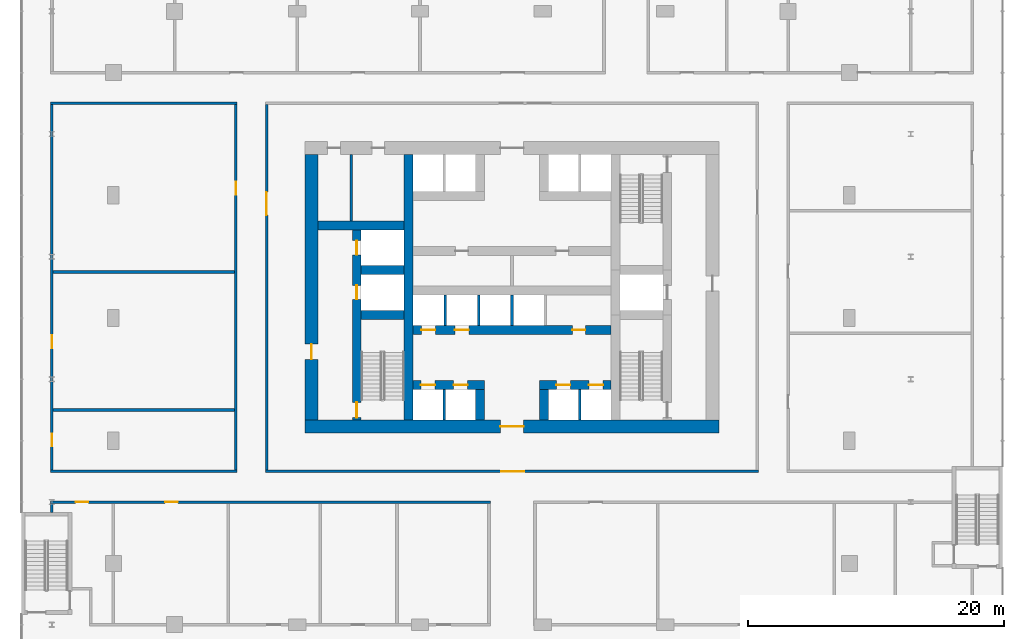
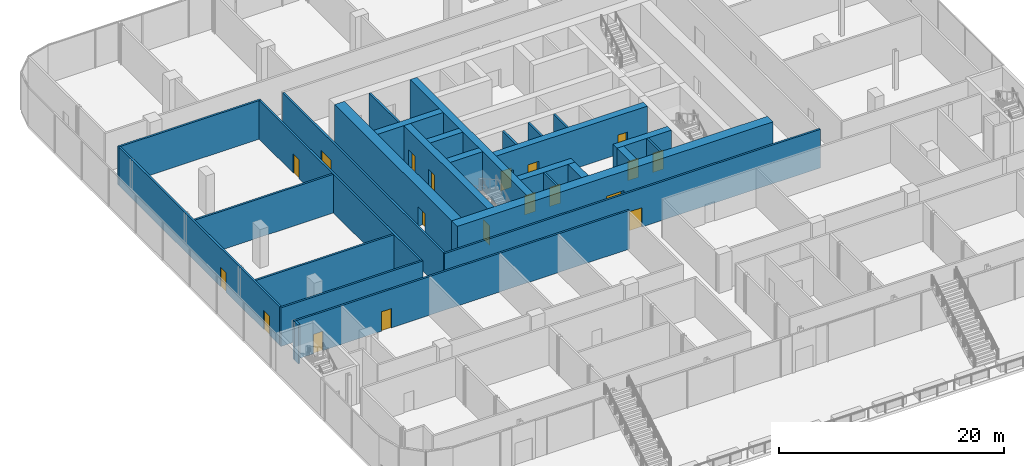
# One storey, part 28 of 38: 28 walls, 19 doors, 19 openings.
"""IFC4 building model written with IfcOpenShell, lengths in metres."""

from ifc_helpers import new_model, si_unit, direction, frame, frame_2d, origin, place, context, subcontext, project, spatial, rectangle, extrude, material, layer, layer_set, type_object, element, fill, save


model = new_model("IFC4")

# Units and contexts
model_context = context("Model", 3, precision=1e-05, world=origin(), true_north=direction((0.0, 1.0)))
body_context = subcontext(model_context, "Body", "Model", "MODEL_VIEW")
ifc_project = project(units=[si_unit("LENGTHUNIT", "METRE"), si_unit("AREAUNIT", "SQUARE_METRE"), si_unit("VOLUMEUNIT", "CUBIC_METRE"), si_unit("PLANEANGLEUNIT", "RADIAN"), si_unit("MASSUNIT", "GRAM", prefix="KILO")], contexts=[model_context])

# Site, building, storey
site_placement = place(None, origin())
site = spatial("IfcSite", under=ifc_project, at=site_placement, CompositionType="ELEMENT")
building_placement = place(site_placement, origin())
building = spatial("IfcBuilding", under=site, at=building_placement, Name="Madar Terraces", CompositionType="ELEMENT")
storey_placement = place(building_placement, frame((0.0, 0.0, 15.0)))
storey = spatial("IfcBuildingStorey", under=building, at=storey_placement, Name="L03", CompositionType="ELEMENT", Elevation=15.0)

# Wall, openings, doors
ifc_material_1 = material(Name="Concrete C80/95", Category="concrete")
ifc_layer_1 = layer(ifc_material_1, 0.699951171875)
ifc_layer_set_1 = layer_set([ifc_layer_1], Name="Concrete C80/95 (CIW1 RC wall 700)")
wall_type_1 = type_object("IfcWallType", Name="CIW1 RC wall 700", PredefinedType="SHEAR", material=ifc_layer_set_1)
wall_1_placement = place(storey_placement, frame((19.050048828125, 16.0, 0.0), z_axis=(0.0, 0.0, 1.0), x_axis=(0.0, 1.0, 0.0)))
wall_1 = element("IfcWall", 1, at=wall_1_placement, inside=storey, type_object=wall_type_1, Name="CORE SHAFT WALL", PredefinedType="SHEAR", context=body_context, shape_type="SweptSolid", body=[
    extrude(rectangle(XDim=14.89990234375, YDim=0.699951171875, at=frame_2d((7.449951171875, 0.0))), origin(), (0.0, 0.0, 1.0), 4.199951171875),
])
opening_1_placement = place(wall_1_placement, frame((9.449951171875, 0.0, 0.0)))
opening_1 = element("IfcOpeningElement", 2, at=opening_1_placement, cuts=wall_1, Name="Opening LD", PredefinedType="OPENING", context=body_context, shape_type="SweptSolid", body=[
    extrude(rectangle(XDim=1.10009765625, YDim=2.10009765625, at=frame_2d((0.550048828125, 1.050048828125))), frame((0.0, 0.35986328125, 0.0), z_axis=(0.0, -1.0, 0.0), x_axis=(1.0, 0.0, 0.0)), (0.0, 0.0, 1.0), 0.719970703125),
])
opening_2_placement = place(wall_1_placement, frame((12.949951171875, 0.0, 0.0)))
opening_2 = element("IfcOpeningElement", 3, at=opening_2_placement, cuts=wall_1, Name="Opening LD", PredefinedType="OPENING", context=body_context, shape_type="SweptSolid", body=[
    extrude(rectangle(XDim=1.10009765625, YDim=2.10009765625, at=frame_2d((0.550048828125, 1.050048828125))), frame((0.0, 0.35986328125, 0.0), z_axis=(0.0, -1.0, 0.0), x_axis=(1.0, 0.0, 0.0)), (0.0, 0.0, 1.0), 0.719970703125),
])
opening_3_placement = place(wall_1_placement, frame((0.199951171875, 0.0, 0.0)))
opening_3 = element("IfcOpeningElement", 4, at=opening_3_placement, cuts=wall_1, Name="Opening SD1", PredefinedType="OPENING", context=body_context, shape_type="SweptSolid", body=[
    extrude(rectangle(XDim=1.199951171875, YDim=2.10009765625, at=frame_2d((0.60009765625, 1.050048828125))), frame((0.0, 0.35986328125, 0.0), z_axis=(0.0, -1.0, 0.0), x_axis=(1.0, 0.0, 0.0)), (0.0, 0.0, 1.0), 0.719970703125),
])
ifc_material_2 = material(Name="Stainless steel panel", Category="steel")
door_type_1 = type_object("IfcDoorType", Name="Lift landing door 1100 x 2100", OperationType="DOUBLE_DOOR_SLIDING", PredefinedType="DOOR", material=ifc_material_2)
door_1_placement = place(opening_1_placement, origin())
door_1 = element("IfcDoor", 5, at=door_1_placement, inside=storey, type_object=door_type_1, Name="LIFT LANDING DOOR", OperationType="DOUBLE_DOOR_SLIDING", OverallHeight=2.10009765625, OverallWidth=1.10009765625, PredefinedType="DOOR", context=body_context, shape_type="SweptSolid", body=[
    extrude(rectangle(XDim=1.10009765625, YDim=2.10009765625, at=frame_2d((0.550048828125, 1.050048828125))), frame((0.0, 0.02490234375, 0.0), z_axis=(0.0, -1.0, 0.0), x_axis=(1.0, 0.0, 0.0)), (0.0, 0.0, 1.0), 0.050048828125),
])
fill(opening_1, door_1)
door_2_placement = place(opening_2_placement, origin())
door_2 = element("IfcDoor", 6, at=door_2_placement, inside=storey, type_object=door_type_1, Name="LIFT LANDING DOOR", OperationType="DOUBLE_DOOR_SLIDING", OverallHeight=2.10009765625, OverallWidth=1.10009765625, PredefinedType="DOOR", context=body_context, shape_type="SweptSolid", body=[
    extrude(rectangle(XDim=1.10009765625, YDim=2.10009765625, at=frame_2d((0.550048828125, 1.050048828125))), frame((0.0, 0.02490234375, 0.0), z_axis=(0.0, -1.0, 0.0), x_axis=(1.0, 0.0, 0.0)), (0.0, 0.0, 1.0), 0.050048828125),
])
fill(opening_2, door_2)
ifc_material_3 = material(Name="Steel door leaf", Category="steel")
door_type_2 = type_object("IfcDoorType", Name="Stair door 1200 x 2100", OperationType="NOTDEFINED", PredefinedType="DOOR", material=ifc_material_3)
door_3_placement = place(opening_3_placement, frame((1.199951171875, 0.0, 0.0), z_axis=(0.0, 0.0, 1.0), x_axis=(-1.0, 0.0, 0.0)))
door_3 = element("IfcDoor", 7, at=door_3_placement, inside=storey, type_object=door_type_2, Name="STAIR DOOR", OperationType="SINGLE_SWING_LEFT", OverallHeight=2.10009765625, OverallWidth=1.199951171875, PredefinedType="DOOR", context=body_context, shape_type="SweptSolid", body=[
    extrude(rectangle(XDim=1.199951171875, YDim=2.10009765625, at=frame_2d((0.60009765625, 1.050048828125))), frame((0.0, 0.02490234375, 0.0), z_axis=(0.0, -1.0, 0.0), x_axis=(1.0, 0.0, 0.0)), (0.0, 0.0, 1.0), 0.050048828125),
])
fill(opening_3, door_3)

# Walls
wall_2_placement = place(storey_placement, frame((23.10009765625, 16.0, 0.0), z_axis=(0.0, 0.0, 1.0), x_axis=(0.0, 1.0, 0.0)))
element("IfcWall", 8, at=wall_2_placement, inside=storey, type_object=wall_type_1, Name="CORE SHAFT WALL", PredefinedType="SHEAR", context=body_context, shape_type="SweptSolid", body=[
    extrude(rectangle(XDim=20.800048828125, YDim=0.699951171875, at=frame_2d((10.39990234375, 0.0))), origin(), (0.0, 0.0, 1.0), 4.199951171875),
])
for number, where, z_axis, x_axis, name in (
    (9, (19.39990234375, 24.25, 0.0), (0.0, 0.0, 1.0), (1.0, 0.0, 0.0), "CORE SHAFT WALL"),
    (10, (19.39990234375, 27.75, 0.0), (0.0, 0.0, 1.0), (1.0, 0.0, 0.0), "CORE SHAFT WALL"),
):
    element("IfcWall", number, at=place(storey_placement, frame(where, z_axis=z_axis, x_axis=x_axis)), inside=storey, type_object=wall_type_1, Name=name, PredefinedType="SHEAR", context=body_context, shape_type="SweptSolid", body=[
        extrude(rectangle(XDim=3.35009765625, YDim=0.699951171875, at=frame_2d((1.675048828125, 0.0))), origin(), (0.0, 0.0, 1.0), 4.199951171875),
    ])
wall_3_placement = place(storey_placement, frame((16.0, 31.25, 0.0), z_axis=(0.0, 0.0, 1.0), x_axis=(1.0, 0.0, 0.0)))
element("IfcWall", 11, at=wall_3_placement, inside=storey, type_object=wall_type_1, Name="CORE SHAFT WALL", PredefinedType="SHEAR", context=body_context, shape_type="SweptSolid", body=[
    extrude(rectangle(XDim=6.75, YDim=0.699951171875, at=frame_2d((3.375, 0.0))), origin(), (0.0, 0.0, 1.0), 4.199951171875),
])

# Wall, openings, doors
wall_4_placement = place(storey_placement, frame((23.449951171875, 18.75, 0.0), z_axis=(0.0, 0.0, 1.0), x_axis=(1.0, 0.0, 0.0)))
wall_4 = element("IfcWall", 12, at=wall_4_placement, inside=storey, type_object=wall_type_1, Name="CORE SHAFT WALL", PredefinedType="SHEAR", context=body_context, shape_type="SweptSolid", body=[
    extrude(rectangle(XDim=5.60009765625, YDim=0.699951171875, at=frame_2d((2.800048828125, 0.0))), origin(), (0.0, 0.0, 1.0), 4.199951171875),
])
opening_4_placement = place(wall_4_placement, frame((0.625, 0.0, 0.0)))
opening_4 = element("IfcOpeningElement", 13, at=opening_4_placement, cuts=wall_4, Name="Opening LD", PredefinedType="OPENING", context=body_context, shape_type="SweptSolid", body=[
    extrude(rectangle(XDim=1.10009765625, YDim=2.10009765625, at=frame_2d((0.550048828125, 1.050048828125))), frame((0.0, 0.35986328125, 0.0), z_axis=(0.0, -1.0, 0.0), x_axis=(1.0, 0.0, 0.0)), (0.0, 0.0, 1.0), 0.719970703125),
])
opening_5_placement = place(wall_4_placement, frame((3.175048828125, 0.0, 0.0)))
opening_5 = element("IfcOpeningElement", 14, at=opening_5_placement, cuts=wall_4, Name="Opening LD", PredefinedType="OPENING", context=body_context, shape_type="SweptSolid", body=[
    extrude(rectangle(XDim=1.10009765625, YDim=2.10009765625, at=frame_2d((0.550048828125, 1.050048828125))), frame((0.0, 0.35986328125, 0.0), z_axis=(0.0, -1.0, 0.0), x_axis=(1.0, 0.0, 0.0)), (0.0, 0.0, 1.0), 0.719970703125),
])
door_4_placement = place(opening_4_placement, origin())
door_4 = element("IfcDoor", 15, at=door_4_placement, inside=storey, type_object=door_type_1, Name="LIFT LANDING DOOR", OperationType="DOUBLE_DOOR_SLIDING", OverallHeight=2.10009765625, OverallWidth=1.10009765625, PredefinedType="DOOR", context=body_context, shape_type="SweptSolid", body=[
    extrude(rectangle(XDim=1.10009765625, YDim=2.10009765625, at=frame_2d((0.550048828125, 1.050048828125))), frame((0.0, 0.02490234375, 0.0), z_axis=(0.0, -1.0, 0.0), x_axis=(1.0, 0.0, 0.0)), (0.0, 0.0, 1.0), 0.050048828125),
])
fill(opening_4, door_4)
door_5_placement = place(opening_5_placement, origin())
door_5 = element("IfcDoor", 16, at=door_5_placement, inside=storey, type_object=door_type_1, Name="LIFT LANDING DOOR", OperationType="DOUBLE_DOOR_SLIDING", OverallHeight=2.10009765625, OverallWidth=1.10009765625, PredefinedType="DOOR", context=body_context, shape_type="SweptSolid", body=[
    extrude(rectangle(XDim=1.10009765625, YDim=2.10009765625, at=frame_2d((0.550048828125, 1.050048828125))), frame((0.0, 0.02490234375, 0.0), z_axis=(0.0, -1.0, 0.0), x_axis=(1.0, 0.0, 0.0)), (0.0, 0.0, 1.0), 0.050048828125),
])
fill(opening_5, door_5)

wall_5_placement = place(storey_placement, frame((33.35009765625, 18.75, 0.0), z_axis=(0.0, 0.0, 1.0), x_axis=(1.0, 0.0, 0.0)))
wall_5 = element("IfcWall", 17, at=wall_5_placement, inside=storey, type_object=wall_type_1, Name="CORE SHAFT WALL", PredefinedType="SHEAR", context=body_context, shape_type="SweptSolid", body=[
    extrude(rectangle(XDim=5.599853515625, YDim=0.699951171875, at=frame_2d((2.7998046875, 0.0))), origin(), (0.0, 0.0, 1.0), 4.199951171875),
])
opening_6_placement = place(wall_5_placement, frame((1.324951171875, 0.0, 0.0)))
opening_6 = element("IfcOpeningElement", 18, at=opening_6_placement, cuts=wall_5, Name="Opening LD", PredefinedType="OPENING", context=body_context, shape_type="SweptSolid", body=[
    extrude(rectangle(XDim=1.10009765625, YDim=2.10009765625, at=frame_2d((0.550048828125, 1.050048828125))), frame((0.0, 0.35986328125, 0.0), z_axis=(0.0, -1.0, 0.0), x_axis=(1.0, 0.0, 0.0)), (0.0, 0.0, 1.0), 0.719970703125),
])
opening_7_placement = place(wall_5_placement, frame((3.875, 0.0, 0.0)))
opening_7 = element("IfcOpeningElement", 19, at=opening_7_placement, cuts=wall_5, Name="Opening LD", PredefinedType="OPENING", context=body_context, shape_type="SweptSolid", body=[
    extrude(rectangle(XDim=1.10009765625, YDim=2.10009765625, at=frame_2d((0.550048828125, 1.050048828125))), frame((0.0, 0.35986328125, 0.0), z_axis=(0.0, -1.0, 0.0), x_axis=(1.0, 0.0, 0.0)), (0.0, 0.0, 1.0), 0.719970703125),
])
door_6_placement = place(opening_6_placement, origin())
door_6 = element("IfcDoor", 20, at=door_6_placement, inside=storey, type_object=door_type_1, Name="LIFT LANDING DOOR", OperationType="DOUBLE_DOOR_SLIDING", OverallHeight=2.10009765625, OverallWidth=1.10009765625, PredefinedType="DOOR", context=body_context, shape_type="SweptSolid", body=[
    extrude(rectangle(XDim=1.10009765625, YDim=2.10009765625, at=frame_2d((0.550048828125, 1.050048828125))), frame((0.0, 0.02490234375, 0.0), z_axis=(0.0, -1.0, 0.0), x_axis=(1.0, 0.0, 0.0)), (0.0, 0.0, 1.0), 0.050048828125),
])
fill(opening_6, door_6)
door_7_placement = place(opening_7_placement, origin())
door_7 = element("IfcDoor", 21, at=door_7_placement, inside=storey, type_object=door_type_1, Name="LIFT LANDING DOOR", OperationType="DOUBLE_DOOR_SLIDING", OverallHeight=2.10009765625, OverallWidth=1.10009765625, PredefinedType="DOOR", context=body_context, shape_type="SweptSolid", body=[
    extrude(rectangle(XDim=1.10009765625, YDim=2.10009765625, at=frame_2d((0.550048828125, 1.050048828125))), frame((0.0, 0.02490234375, 0.0), z_axis=(0.0, -1.0, 0.0), x_axis=(1.0, 0.0, 0.0)), (0.0, 0.0, 1.0), 0.050048828125),
])
fill(opening_7, door_7)

wall_6_placement = place(storey_placement, frame((23.449951171875, 23.050048828125, 0.0), z_axis=(0.0, 0.0, 1.0), x_axis=(1.0, 0.0, 0.0)))
wall_6 = element("IfcWall", 22, at=wall_6_placement, inside=storey, type_object=wall_type_1, Name="CORE SHAFT WALL", PredefinedType="SHEAR", context=body_context, shape_type="SweptSolid", body=[
    extrude(rectangle(XDim=15.5, YDim=0.699951171875, at=frame_2d((7.75, 0.0))), origin(), (0.0, 0.0, 1.0), 4.199951171875),
])
opening_8_placement = place(wall_6_placement, frame((0.658447265625, 0.0, 0.0)))
opening_8 = element("IfcOpeningElement", 23, at=opening_8_placement, cuts=wall_6, Name="Opening LD", PredefinedType="OPENING", context=body_context, shape_type="SweptSolid", body=[
    extrude(rectangle(XDim=1.10009765625, YDim=2.10009765625, at=frame_2d((0.550048828125, 1.050048828125))), frame((0.0, 0.35986328125, 0.0), z_axis=(0.0, -1.0, 0.0), x_axis=(1.0, 0.0, 0.0)), (0.0, 0.0, 1.0), 0.719970703125),
])
opening_9_placement = place(wall_6_placement, frame((3.27490234375, 0.0, 0.0)))
opening_9 = element("IfcOpeningElement", 24, at=opening_9_placement, cuts=wall_6, Name="Opening LD", PredefinedType="OPENING", context=body_context, shape_type="SweptSolid", body=[
    extrude(rectangle(XDim=1.10009765625, YDim=2.10009765625, at=frame_2d((0.550048828125, 1.050048828125))), frame((0.0, 0.35986328125, 0.0), z_axis=(0.0, -1.0, 0.0), x_axis=(1.0, 0.0, 0.0)), (0.0, 0.0, 1.0), 0.719970703125),
])
opening_10_placement = place(wall_6_placement, frame((12.4833984375, 0.0, 0.0)))
opening_10 = element("IfcOpeningElement", 25, at=opening_10_placement, cuts=wall_6, Name="Opening KD2", PredefinedType="OPENING", context=body_context, shape_type="SweptSolid", body=[
    extrude(rectangle(XDim=1.0, YDim=2.10009765625, at=frame_2d((0.5, 1.050048828125))), frame((0.0, 0.35986328125, 0.0), z_axis=(0.0, -1.0, 0.0), x_axis=(1.0, 0.0, 0.0)), (0.0, 0.0, 1.0), 0.719970703125),
])
door_8_placement = place(opening_8_placement, origin())
door_8 = element("IfcDoor", 26, at=door_8_placement, inside=storey, type_object=door_type_1, Name="LIFT LANDING DOOR", OperationType="DOUBLE_DOOR_SLIDING", OverallHeight=2.10009765625, OverallWidth=1.10009765625, PredefinedType="DOOR", context=body_context, shape_type="SweptSolid", body=[
    extrude(rectangle(XDim=1.10009765625, YDim=2.10009765625, at=frame_2d((0.550048828125, 1.050048828125))), frame((0.0, 0.02490234375, 0.0), z_axis=(0.0, -1.0, 0.0), x_axis=(1.0, 0.0, 0.0)), (0.0, 0.0, 1.0), 0.050048828125),
])
fill(opening_8, door_8)
door_9_placement = place(opening_9_placement, origin())
door_9 = element("IfcDoor", 27, at=door_9_placement, inside=storey, type_object=door_type_1, Name="LIFT LANDING DOOR", OperationType="DOUBLE_DOOR_SLIDING", OverallHeight=2.10009765625, OverallWidth=1.10009765625, PredefinedType="DOOR", context=body_context, shape_type="SweptSolid", body=[
    extrude(rectangle(XDim=1.10009765625, YDim=2.10009765625, at=frame_2d((0.550048828125, 1.050048828125))), frame((0.0, 0.02490234375, 0.0), z_axis=(0.0, -1.0, 0.0), x_axis=(1.0, 0.0, 0.0)), (0.0, 0.0, 1.0), 0.050048828125),
])
fill(opening_9, door_9)
ifc_material_4 = material(Name="Steel door leaf", Category="steel")
door_type_3 = type_object("IfcDoorType", Name="Service room door 1000 x 2100", OperationType="NOTDEFINED", PredefinedType="DOOR", material=ifc_material_4)
door_10_placement = place(opening_10_placement, frame((1.0, 0.0, 0.0), z_axis=(0.0, 0.0, 1.0), x_axis=(-1.0, 0.0, 0.0)))
door_10 = element("IfcDoor", 28, at=door_10_placement, inside=storey, type_object=door_type_3, Name="SERVICE ROOM DOOR", OperationType="SINGLE_SWING_RIGHT", OverallHeight=2.10009765625, OverallWidth=1.0, PredefinedType="DOOR", context=body_context, shape_type="SweptSolid", body=[
    extrude(rectangle(XDim=1.0, YDim=2.10009765625, at=frame_2d((0.5, 1.050048828125))), frame((0.0, 0.02490234375, 0.0), z_axis=(0.0, -1.0, 0.0), x_axis=(1.0, 0.0, 0.0)), (0.0, 0.0, 1.0), 0.050048828125),
])
fill(opening_10, door_10)

# Walls
for number, where, z_axis, x_axis, name in (
    (29, (28.699951171875, 16.0, 0.0), (0.0, 0.0, 1.0), (0.0, 1.0, 0.0), "CORE SHAFT WALL"),
    (30, (33.699951171875, 16.0, 0.0), (0.0, 0.0, 1.0), (0.0, 1.0, 0.0), "CORE SHAFT WALL"),
):
    element("IfcWall", number, at=place(storey_placement, frame(where, z_axis=z_axis, x_axis=x_axis)), inside=storey, type_object=wall_type_1, Name=name, PredefinedType="SHEAR", context=body_context, shape_type="SweptSolid", body=[
        extrude(rectangle(XDim=2.39990234375, YDim=0.699951171875, at=frame_2d((1.199951171875, 0.0))), origin(), (0.0, 0.0, 1.0), 4.199951171875),
    ])

# Wall, opening, door
ifc_material_5 = material(Name="Concrete C80/95", Category="concrete")
ifc_layer_2 = layer(ifc_material_5, 1.0)
ifc_layer_set_2 = layer_set([ifc_layer_2], Name="Concrete C80/95 (CRW1 RC wall 1000)")
wall_type_2 = type_object("IfcWallType", Name="CRW1 RC wall 1000", PredefinedType="SHEAR", material=ifc_layer_set_2)
wall_7_placement = place(storey_placement, frame((15.0, 15.5, 0.0), z_axis=(0.0, 0.0, 1.0), x_axis=(1.0, 0.0, 0.0)))
wall_7 = element("IfcWall", 31, at=wall_7_placement, inside=storey, type_object=wall_type_2, Name="CORE OUTER WALL", PredefinedType="SHEAR", context=body_context, shape_type="SweptSolid", body=[
    extrude(rectangle(XDim=32.39990234375, YDim=1.0, at=frame_2d((16.199951171875, 0.0))), origin(), (0.0, 0.0, 1.0), 4.199951171875),
])
opening_11_placement = place(wall_7_placement, frame((15.300048828125, 0.0, 0.0)))
opening_11 = element("IfcOpeningElement", 32, at=opening_11_placement, cuts=wall_7, Name="Opening KD1", PredefinedType="OPENING", context=body_context, shape_type="SweptSolid", body=[
    extrude(rectangle(XDim=1.800048828125, YDim=2.10009765625, at=frame_2d((0.89990234375, 1.050048828125))), frame((0.0, 0.510009765625, 0.0), z_axis=(0.0, -1.0, 0.0), x_axis=(1.0, 0.0, 0.0)), (0.0, 0.0, 1.0), 1.02001953125),
])
ifc_material_6 = material(Name="Steel door leaf", Category="steel")
door_type_4 = type_object("IfcDoorType", Name="Lobby door pair 1800 x 2100", OperationType="DOUBLE_DOOR_SINGLE_SWING", PredefinedType="DOOR", material=ifc_material_6)
door_11_placement = place(opening_11_placement, frame((1.800048828125, 0.0, 0.0), z_axis=(0.0, 0.0, 1.0), x_axis=(-1.0, 0.0, 0.0)))
door_11 = element("IfcDoor", 33, at=door_11_placement, inside=storey, type_object=door_type_4, Name="LIFT LOBBY DOOR", OperationType="DOUBLE_DOOR_SINGLE_SWING", OverallHeight=2.10009765625, OverallWidth=1.800048828125, PredefinedType="DOOR", context=body_context, shape_type="SweptSolid", body=[
    extrude(rectangle(XDim=1.800048828125, YDim=2.10009765625, at=frame_2d((0.89990234375, 1.050048828125))), frame((0.0, 0.02490234375, 0.0), z_axis=(0.0, -1.0, 0.0), x_axis=(1.0, 0.0, 0.0)), (0.0, 0.0, 1.0), 0.050048828125),
])
fill(opening_11, door_11)

wall_8_placement = place(storey_placement, frame((15.5, 16.0, 0.0), z_axis=(0.0, 0.0, 1.0), x_axis=(0.0, 1.0, 0.0)))
wall_8 = element("IfcWall", 34, at=wall_8_placement, inside=storey, type_object=wall_type_2, Name="CORE OUTER WALL", PredefinedType="SHEAR", context=body_context, shape_type="SweptSolid", body=[
    extrude(rectangle(XDim=20.800048828125, YDim=1.0, at=frame_2d((10.39990234375, 0.0))), origin(), (0.0, 0.0, 1.0), 4.199951171875),
])
opening_12_placement = place(wall_8_placement, frame((4.760009765625, 0.0, 0.0)))
opening_12 = element("IfcOpeningElement", 35, at=opening_12_placement, cuts=wall_8, Name="Opening SD1", PredefinedType="OPENING", context=body_context, shape_type="SweptSolid", body=[
    extrude(rectangle(XDim=1.199951171875, YDim=2.10009765625, at=frame_2d((0.60009765625, 1.050048828125))), frame((0.0, 0.510009765625, 0.0), z_axis=(0.0, -1.0, 0.0), x_axis=(1.0, 0.0, 0.0)), (0.0, 0.0, 1.0), 1.02001953125),
])
door_12_placement = place(opening_12_placement, frame((1.199951171875, 0.0, 0.0), z_axis=(0.0, 0.0, 1.0), x_axis=(-1.0, 0.0, 0.0)))
door_12 = element("IfcDoor", 36, at=door_12_placement, inside=storey, type_object=door_type_2, Name="STAIR DOOR", OperationType="SINGLE_SWING_RIGHT", OverallHeight=2.10009765625, OverallWidth=1.199951171875, PredefinedType="DOOR", context=body_context, shape_type="SweptSolid", body=[
    extrude(rectangle(XDim=1.199951171875, YDim=2.10009765625, at=frame_2d((0.60009765625, 1.050048828125))), frame((0.0, 0.02490234375, 0.0), z_axis=(0.0, -1.0, 0.0), x_axis=(1.0, 0.0, 0.0)), (0.0, 0.0, 1.0), 0.050048828125),
])
fill(opening_12, door_12)

# Walls
ifc_material_7 = material(Name="Masonry blockwork", Category="masonry")
ifc_layer_3 = layer(ifc_material_7, 0.199951171875)
ifc_layer_set_3 = layer_set([ifc_layer_3], Name="Core partition 200 blockwork")
wall_type_3 = type_object("IfcWallType", Name="Core partition 200 blockwork", PredefinedType="PARTITIONING", material=ifc_layer_set_3)
wall_9_placement = place(storey_placement, frame((18.632568359375, 31.60009765625, 0.0), z_axis=(0.0, 0.0, 1.0), x_axis=(0.0, 1.0, 0.0)))
element("IfcWall", 37, at=wall_9_placement, inside=storey, type_object=wall_type_3, Name="SERVICE ROOM PARTITION", PredefinedType="PARTITIONING", context=body_context, shape_type="SweptSolid", body=[
    extrude(rectangle(XDim=5.199951171875, YDim=0.199951171875, at=frame_2d((2.60009765625, 0.0))), origin(), (0.0, 0.0, 1.0), 4.199951171875),
])
ifc_material_8 = material(Name="Concrete C40/50", Category="concrete")
ifc_layer_4 = layer(ifc_material_8, 0.199951171875)
ifc_layer_set_4 = layer_set([ifc_layer_4], Name="Core shaft dividing wall 200 C40/50")
wall_type_4 = type_object("IfcWallType", Name="Core shaft dividing wall 200 C40/50", PredefinedType="SOLIDWALL", material=ifc_layer_set_4)
for number, where, z_axis, x_axis, name in (
    (38, (25.966552734375, 23.39990234375, 0.0), (0.0, 0.0, 1.0), (0.0, 1.0, 0.0), "SHAFT DIVIDING WALL"),
    (39, (28.583251953125, 23.39990234375, 0.0), (0.0, 0.0, 1.0), (0.0, 1.0, 0.0), "SHAFT DIVIDING WALL"),
    (40, (31.199951171875, 23.39990234375, 0.0), (0.0, 0.0, 1.0), (0.0, 1.0, 0.0), "SHAFT DIVIDING WALL"),
):
    element("IfcWall", number, at=place(storey_placement, frame(where, z_axis=z_axis, x_axis=x_axis)), inside=storey, type_object=wall_type_4, Name=name, PredefinedType="SOLIDWALL", context=body_context, shape_type="SweptSolid", body=[
        extrude(rectangle(XDim=2.400146484375, YDim=0.199951171875, at=frame_2d((1.2001953125, 0.0))), origin(), (0.0, 0.0, 1.0), 4.199951171875),
    ])
for number, where, z_axis, x_axis, name in (
    (41, (25.89990234375, 16.0, 0.0), (0.0, 0.0, 1.0), (0.0, 1.0, 0.0), "SHAFT DIVIDING WALL"),
    (42, (36.5, 16.0, 0.0), (0.0, 0.0, 1.0), (0.0, 1.0, 0.0), "SHAFT DIVIDING WALL"),
):
    element("IfcWall", number, at=place(storey_placement, frame(where, z_axis=z_axis, x_axis=x_axis)), inside=storey, type_object=wall_type_4, Name=name, PredefinedType="SOLIDWALL", context=body_context, shape_type="SweptSolid", body=[
        extrude(rectangle(XDim=2.39990234375, YDim=0.199951171875, at=frame_2d((1.199951171875, 0.0))), origin(), (0.0, 0.0, 1.0), 4.199951171875),
    ])

# Wall, openings, doors
ifc_material_9 = material(Name="Gypsum board partition, fire-rated")
ifc_layer_5 = layer(ifc_material_9, 0.199951171875)
ifc_layer_set_5 = layer_set([ifc_layer_5], Name="Partition 200 EI 60")
wall_type_5 = type_object("IfcWallType", Name="Partition 200 EI 60", PredefinedType="PARTITIONING", material=ifc_layer_set_5)
wall_10_placement = place(storey_placement, frame((29.5, 9.60009765625, 0.0), z_axis=(0.0, 0.0, 1.0), x_axis=(-1.0, 0.0, 0.0)))
wall_10 = element("IfcWall", 43, at=wall_10_placement, inside=storey, type_object=wall_type_5, Name="Wall ACTIVITY ROOM + CHILDRENS STORE", PredefinedType="PARTITIONING", context=body_context, shape_type="SweptSolid", body=[
    extrude(rectangle(XDim=34.39990234375, YDim=0.199951171875, at=frame_2d((17.199951171875, 0.0))), origin(), (0.0, 0.0, 1.0), 4.199951171875),
])
opening_13_placement = place(wall_10_placement, frame((31.449951171875, 0.0, 0.0)))
opening_13 = element("IfcOpeningElement", 44, at=opening_13_placement, cuts=wall_10, Name="Opening D31", PredefinedType="OPENING", context=body_context, shape_type="SweptSolid", body=[
    extrude(rectangle(XDim=1.0, YDim=2.10009765625, at=frame_2d((0.5, 1.050048828125))), frame((0.0, 0.10986328125, 0.0), z_axis=(0.0, -1.0, 0.0), x_axis=(1.0, 0.0, 0.0)), (0.0, 0.0, 1.0), 0.219970703125),
])
opening_14_placement = place(wall_10_placement, frame((24.449951171875, 0.0, 0.0)))
opening_14 = element("IfcOpeningElement", 45, at=opening_14_placement, cuts=wall_10, Name="Opening D31", PredefinedType="OPENING", context=body_context, shape_type="SweptSolid", body=[
    extrude(rectangle(XDim=1.0, YDim=2.10009765625, at=frame_2d((0.5, 1.050048828125))), frame((0.0, 0.10986328125, 0.0), z_axis=(0.0, -1.0, 0.0), x_axis=(1.0, 0.0, 0.0)), (0.0, 0.0, 1.0), 0.219970703125),
])
ifc_material_10 = material(Name="Timber door leaf, fire-rated", Category="wood")
door_type_5 = type_object("IfcDoorType", Name="Podium door 1000 x 2100 FD30S", OperationType="NOTDEFINED", PredefinedType="DOOR", material=ifc_material_10)
door_13_placement = place(opening_13_placement, origin())
door_13 = element("IfcDoor", 46, at=door_13_placement, inside=storey, type_object=door_type_5, Name="Door ACTIVITY ROOM / PODIUM CORRIDOR", OperationType="SINGLE_SWING_RIGHT", OverallHeight=2.10009765625, OverallWidth=1.0, PredefinedType="DOOR", context=body_context, shape_type="SweptSolid", body=[
    extrude(rectangle(XDim=1.0, YDim=2.10009765625, at=frame_2d((0.5, 1.050048828125))), frame((0.0, 0.02490234375, 0.0), z_axis=(0.0, -1.0, 0.0), x_axis=(1.0, 0.0, 0.0)), (0.0, 0.0, 1.0), 0.050048828125),
])
fill(opening_13, door_13)
door_14_placement = place(opening_14_placement, origin())
door_14 = element("IfcDoor", 47, at=door_14_placement, inside=storey, type_object=door_type_5, Name="Door CRAFT ROOM / PODIUM CORRIDOR", OperationType="SINGLE_SWING_LEFT", OverallHeight=2.10009765625, OverallWidth=1.0, PredefinedType="DOOR", context=body_context, shape_type="SweptSolid", body=[
    extrude(rectangle(XDim=1.0, YDim=2.10009765625, at=frame_2d((0.5, 1.050048828125))), frame((0.0, 0.02490234375, 0.0), z_axis=(0.0, -1.0, 0.0), x_axis=(1.0, 0.0, 0.0)), (0.0, 0.0, 1.0), 0.050048828125),
])
fill(opening_14, door_14)

# Wall
wall_11_placement = place(storey_placement, frame((-4.89990234375, 12.0, 0.0), z_axis=(0.0, 0.0, 1.0), x_axis=(1.0, 0.0, 0.0)))
element("IfcWall", 48, at=wall_11_placement, inside=storey, type_object=wall_type_5, Name="Wall SLEEP ROOM / PODIUM CORRIDOR", PredefinedType="PARTITIONING", context=body_context, shape_type="SweptSolid", body=[
    extrude(rectangle(XDim=14.599853515625, YDim=0.199951171875, at=frame_2d((7.2998046875, 0.0))), origin(), (0.0, 0.0, 1.0), 4.199951171875),
])

# Wall, opening, door
wall_12_placement = place(storey_placement, frame((11.89990234375, 12.0, 0.0), z_axis=(0.0, 0.0, 1.0), x_axis=(1.0, 0.0, 0.0)))
wall_12 = element("IfcWall", 49, at=wall_12_placement, inside=storey, type_object=wall_type_5, Name="Wall PODIUM CORRIDOR / RING CORRIDOR", PredefinedType="PARTITIONING", context=body_context, shape_type="SweptSolid", body=[
    extrude(rectangle(XDim=38.60009765625, YDim=0.199951171875, at=frame_2d((19.300048828125, 0.0))), origin(), (0.0, 0.0, 1.0), 4.199951171875),
])
opening_15_placement = place(wall_12_placement, frame((18.449951171875, 0.0, 0.0)))
opening_15 = element("IfcOpeningElement", 50, at=opening_15_placement, cuts=wall_12, Name="Opening D30", PredefinedType="OPENING", context=body_context, shape_type="SweptSolid", body=[
    extrude(rectangle(XDim=1.800048828125, YDim=2.10009765625, at=frame_2d((0.89990234375, 1.050048828125))), frame((0.0, 0.10986328125, 0.0), z_axis=(0.0, -1.0, 0.0), x_axis=(1.0, 0.0, 0.0)), (0.0, 0.0, 1.0), 0.219970703125),
])
ifc_material_11 = material(Name="Timber door leaf, fire-rated", Category="wood")
door_type_6 = type_object("IfcDoorType", Name="Podium double door 1800 x 2100 FD30S", OperationType="DOUBLE_DOOR_SINGLE_SWING", PredefinedType="DOOR", material=ifc_material_11)
door_15_placement = place(opening_15_placement, origin())
door_15 = element("IfcDoor", 51, at=door_15_placement, inside=storey, type_object=door_type_6, Name="Door PODIUM CORRIDOR / RING CORRIDOR", OperationType="DOUBLE_DOOR_SINGLE_SWING", OverallHeight=2.10009765625, OverallWidth=1.800048828125, PredefinedType="DOOR", context=body_context, shape_type="SweptSolid", body=[
    extrude(rectangle(XDim=1.800048828125, YDim=2.10009765625, at=frame_2d((0.89990234375, 1.050048828125))), frame((0.0, 0.02490234375, 0.0), z_axis=(0.0, -1.0, 0.0), x_axis=(1.0, 0.0, 0.0)), (0.0, 0.0, 1.0), 0.050048828125),
])
fill(opening_15, door_15)

# Walls
for number, where, z_axis, x_axis, name in (
    (52, (-4.699951171875, 16.800048828125, 0.0), (0.0, 0.0, 1.0), (1.0, 0.0, 0.0), "Wall SLEEP ROOM / SLEEP ROOM"),
    (53, (-4.699951171875, 27.60009765625, 0.0), (0.0, 0.0, 1.0), (1.0, 0.0, 0.0), "Wall SLEEP ROOM / OFFICE"),
):
    element("IfcWall", number, at=place(storey_placement, frame(where, z_axis=z_axis, x_axis=x_axis)), inside=storey, type_object=wall_type_5, Name=name, PredefinedType="PARTITIONING", context=body_context, shape_type="SweptSolid", body=[
        extrude(rectangle(XDim=14.199951171875, YDim=0.199951171875, at=frame_2d((7.10009765625, 0.0))), origin(), (0.0, 0.0, 1.0), 4.199951171875),
    ])
wall_13_placement = place(storey_placement, frame((-4.89990234375, 40.800048828125, 0.0), z_axis=(0.0, 0.0, 1.0), x_axis=(1.0, 0.0, 0.0)))
element("IfcWall", 54, at=wall_13_placement, inside=storey, type_object=wall_type_5, Name="Wall OFFICE / PODIUM CORRIDOR", PredefinedType="PARTITIONING", context=body_context, shape_type="SweptSolid", body=[
    extrude(rectangle(XDim=14.599853515625, YDim=0.199951171875, at=frame_2d((7.2998046875, 0.0))), origin(), (0.0, 0.0, 1.0), 4.199951171875),
])
wall_14_placement = place(storey_placement, frame((-4.800048828125, 8.800048828125, 0.0), z_axis=(0.0, 0.0, 1.0), x_axis=(0.0, 1.0, 0.0)))
element("IfcWall", 55, at=wall_14_placement, inside=storey, type_object=wall_type_5, Name="Wall ACTIVITY ROOM / PODIUM CORRIDOR", PredefinedType="PARTITIONING", context=body_context, shape_type="SweptSolid", body=[
    extrude(rectangle(XDim=0.699951171875, YDim=0.199951171875, at=frame_2d((0.35009765625, 0.0))), origin(), (0.0, 0.0, 1.0), 4.199951171875),
])

# Wall, openings, doors
wall_15_placement = place(storey_placement, frame((-4.800048828125, 40.699951171875, 0.0), z_axis=(0.0, 0.0, 1.0), x_axis=(0.0, -1.0, 0.0)))
wall_15 = element("IfcWall", 56, at=wall_15_placement, inside=storey, type_object=wall_type_5, Name="Wall OFFICE + SLEEP ROOM", PredefinedType="PARTITIONING", context=body_context, shape_type="SweptSolid", body=[
    extrude(rectangle(XDim=28.599853515625, YDim=0.199951171875, at=frame_2d((14.2998046875, 0.0))), origin(), (0.0, 0.0, 1.0), 4.199951171875),
])
opening_16_placement = place(wall_15_placement, frame((25.75, 0.0, 0.0)))
opening_16 = element("IfcOpeningElement", 57, at=opening_16_placement, cuts=wall_15, Name="Opening D31", PredefinedType="OPENING", context=body_context, shape_type="SweptSolid", body=[
    extrude(rectangle(XDim=1.0, YDim=2.10009765625, at=frame_2d((0.5, 1.050048828125))), frame((0.0, 0.10986328125, 0.0), z_axis=(0.0, -1.0, 0.0), x_axis=(1.0, 0.0, 0.0)), (0.0, 0.0, 1.0), 0.219970703125),
])
opening_17_placement = place(wall_15_placement, frame((18.050048828125, 0.0, 0.0)))
opening_17 = element("IfcOpeningElement", 58, at=opening_17_placement, cuts=wall_15, Name="Opening D31", PredefinedType="OPENING", context=body_context, shape_type="SweptSolid", body=[
    extrude(rectangle(XDim=1.0, YDim=2.10009765625, at=frame_2d((0.5, 1.050048828125))), frame((0.0, 0.10986328125, 0.0), z_axis=(0.0, -1.0, 0.0), x_axis=(1.0, 0.0, 0.0)), (0.0, 0.0, 1.0), 0.219970703125),
])
door_16_placement = place(opening_16_placement, origin())
door_16 = element("IfcDoor", 59, at=door_16_placement, inside=storey, type_object=door_type_5, Name="Door SLEEP ROOM / PODIUM CORRIDOR", OperationType="SINGLE_SWING_LEFT", OverallHeight=2.10009765625, OverallWidth=1.0, PredefinedType="DOOR", context=body_context, shape_type="SweptSolid", body=[
    extrude(rectangle(XDim=1.0, YDim=2.10009765625, at=frame_2d((0.5, 1.050048828125))), frame((0.0, 0.02490234375, 0.0), z_axis=(0.0, -1.0, 0.0), x_axis=(1.0, 0.0, 0.0)), (0.0, 0.0, 1.0), 0.050048828125),
])
fill(opening_16, door_16)
door_17_placement = place(opening_17_placement, origin())
door_17 = element("IfcDoor", 60, at=door_17_placement, inside=storey, type_object=door_type_5, Name="Door SLEEP ROOM / PODIUM CORRIDOR", OperationType="SINGLE_SWING_RIGHT", OverallHeight=2.10009765625, OverallWidth=1.0, PredefinedType="DOOR", context=body_context, shape_type="SweptSolid", body=[
    extrude(rectangle(XDim=1.0, YDim=2.10009765625, at=frame_2d((0.5, 1.050048828125))), frame((0.0, 0.02490234375, 0.0), z_axis=(0.0, -1.0, 0.0), x_axis=(1.0, 0.0, 0.0)), (0.0, 0.0, 1.0), 0.050048828125),
])
fill(opening_17, door_17)

# Wall, opening, door
wall_16_placement = place(storey_placement, frame((9.60009765625, 12.10009765625, 0.0), z_axis=(0.0, 0.0, 1.0), x_axis=(0.0, 1.0, 0.0)))
wall_16 = element("IfcWall", 61, at=wall_16_placement, inside=storey, type_object=wall_type_5, Name="Wall OFFICE + SLEEP ROOM", PredefinedType="PARTITIONING", context=body_context, shape_type="SweptSolid", body=[
    extrude(rectangle(XDim=28.599853515625, YDim=0.199951171875, at=frame_2d((14.2998046875, 0.0))), origin(), (0.0, 0.0, 1.0), 4.199951171875),
])
opening_18_placement = place(wall_16_placement, frame((21.550048828125, 0.0, 0.0)))
opening_18 = element("IfcOpeningElement", 62, at=opening_18_placement, cuts=wall_16, Name="Opening D31", PredefinedType="OPENING", context=body_context, shape_type="SweptSolid", body=[
    extrude(rectangle(XDim=1.0, YDim=2.10009765625, at=frame_2d((0.5, 1.050048828125))), frame((0.0, 0.10986328125, 0.0), z_axis=(0.0, -1.0, 0.0), x_axis=(1.0, 0.0, 0.0)), (0.0, 0.0, 1.0), 0.219970703125),
])
door_18_placement = place(opening_18_placement, origin())
door_18 = element("IfcDoor", 63, at=door_18_placement, inside=storey, type_object=door_type_5, Name="Door OFFICE / PODIUM CORRIDOR", OperationType="SINGLE_SWING_RIGHT", OverallHeight=2.10009765625, OverallWidth=1.0, PredefinedType="DOOR", context=body_context, shape_type="SweptSolid", body=[
    extrude(rectangle(XDim=1.0, YDim=2.10009765625, at=frame_2d((0.5, 1.050048828125))), frame((0.0, 0.02490234375, 0.0), z_axis=(0.0, -1.0, 0.0), x_axis=(1.0, 0.0, 0.0)), (0.0, 0.0, 1.0), 0.050048828125),
])
fill(opening_18, door_18)

wall_17_placement = place(storey_placement, frame((12.0, 40.699951171875, 0.0), z_axis=(0.0, 0.0, 1.0), x_axis=(0.0, -1.0, 0.0)))
wall_17 = element("IfcWall", 64, at=wall_17_placement, inside=storey, type_object=wall_type_5, Name="Wall PODIUM CORRIDOR / RING CORRIDOR", PredefinedType="PARTITIONING", context=body_context, shape_type="SweptSolid", body=[
    extrude(rectangle(XDim=28.599853515625, YDim=0.199951171875, at=frame_2d((14.2998046875, 0.0))), origin(), (0.0, 0.0, 1.0), 4.199951171875),
])
opening_19_placement = place(wall_17_placement, frame((6.85009765625, 0.0, 0.0)))
opening_19 = element("IfcOpeningElement", 65, at=opening_19_placement, cuts=wall_17, Name="Opening D30", PredefinedType="OPENING", context=body_context, shape_type="SweptSolid", body=[
    extrude(rectangle(XDim=1.800048828125, YDim=2.10009765625, at=frame_2d((0.89990234375, 1.050048828125))), frame((0.0, 0.10986328125, 0.0), z_axis=(0.0, -1.0, 0.0), x_axis=(1.0, 0.0, 0.0)), (0.0, 0.0, 1.0), 0.219970703125),
])
door_19_placement = place(opening_19_placement, origin())
door_19 = element("IfcDoor", 66, at=door_19_placement, inside=storey, type_object=door_type_6, Name="Door PODIUM CORRIDOR / RING CORRIDOR", OperationType="DOUBLE_DOOR_SINGLE_SWING", OverallHeight=2.10009765625, OverallWidth=1.800048828125, PredefinedType="DOOR", context=body_context, shape_type="SweptSolid", body=[
    extrude(rectangle(XDim=1.800048828125, YDim=2.10009765625, at=frame_2d((0.89990234375, 1.050048828125))), frame((0.0, 0.02490234375, 0.0), z_axis=(0.0, -1.0, 0.0), x_axis=(1.0, 0.0, 0.0)), (0.0, 0.0, 1.0), 0.050048828125),
])
fill(opening_19, door_19)

save(model, "model.ifc")
